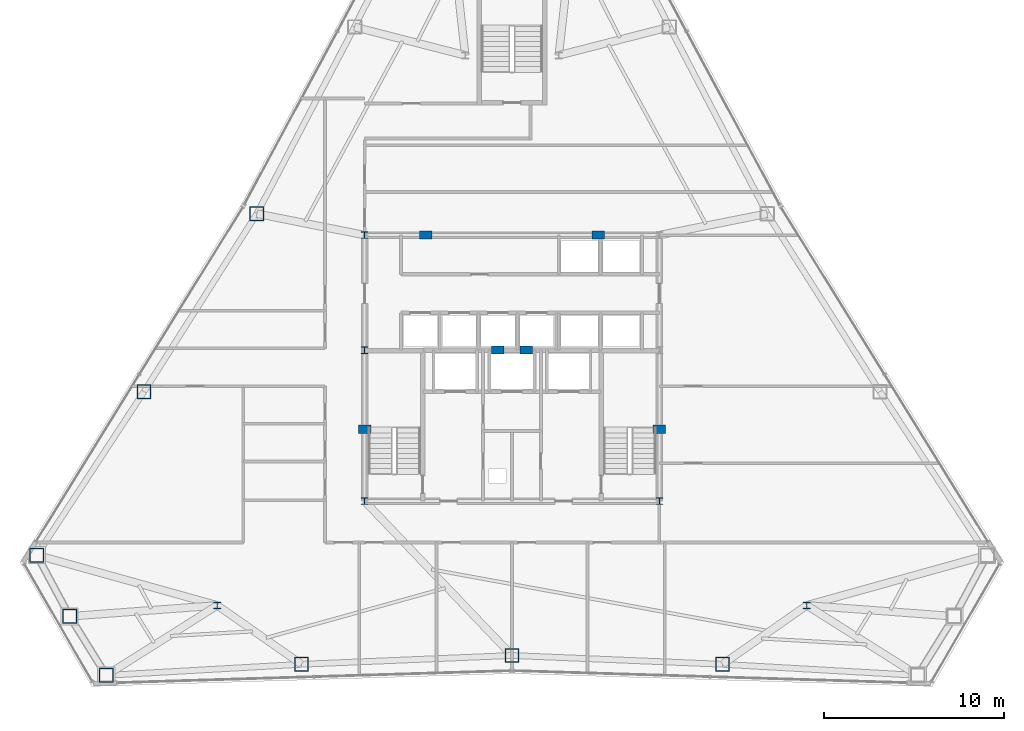
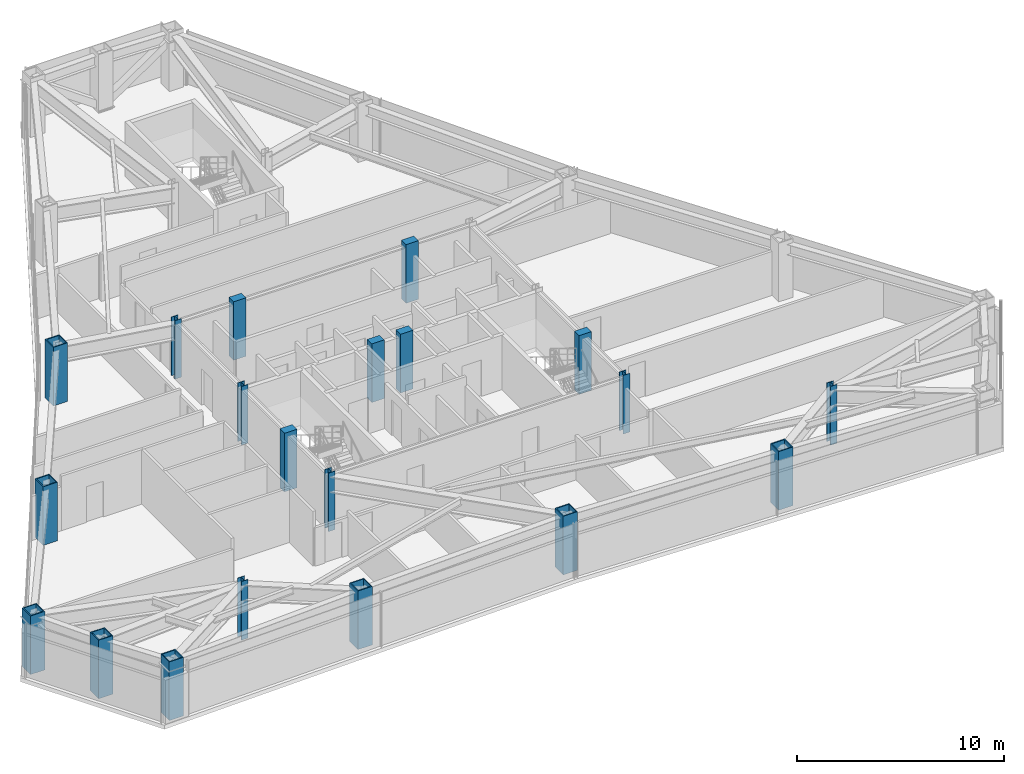
# One storey, part 1 of 13: 20 columns.
"""IFC4 building model written with IfcOpenShell, lengths in metres."""

from ifc_helpers import new_model, si_unit, direction, frame, origin, origin_2d, place, context, subcontext, project, spatial, rectangle, hollow_rectangle, i_section, extrude, material, material_profile, profile_set, type_object, element, save


model = new_model("IFC4")

# Units and contexts
model_context = context("Model", 3, precision=1e-05, world=origin(), true_north=direction((0.0, 1.0)))
body_context = subcontext(model_context, "Body", "Model", "MODEL_VIEW")
ifc_project = project(units=[si_unit("LENGTHUNIT", "METRE"), si_unit("AREAUNIT", "SQUARE_METRE"), si_unit("VOLUMEUNIT", "CUBIC_METRE"), si_unit("PLANEANGLEUNIT", "RADIAN"), si_unit("MASSUNIT", "GRAM", prefix="KILO")], contexts=[model_context])

# Site, building, storey
site_placement = place(None, origin())
site = spatial("IfcSite", under=ifc_project, at=site_placement, CompositionType="ELEMENT")
building_placement = place(site_placement, origin())
building = spatial("IfcBuilding", under=site, at=building_placement, Name="Varakhsha Concourse Tower", CompositionType="ELEMENT")
storey_placement = place(building_placement, frame((0.0, 0.0, 165.449951171875)))
storey = spatial("IfcBuildingStorey", under=building, at=storey_placement, Name="L47", CompositionType="ELEMENT", Elevation=165.449951171875)

# Columns
ifc_material_1 = material(Name="Structural Steel ASTM A992 Grade 50", Category="steel")
ifc_material_profile_1 = material_profile(ifc_material_1, i_section(OverallWidth=0.3740234375, OverallDepth=0.3720703125, WebThickness=0.01611328125, FlangeThickness=0.02587890625, at=origin_2d()), Name="W14X132")
ifc_profile_set_1 = profile_set([ifc_material_profile_1], Name="Structural Steel ASTM A992 Grade 50")
column_type_1 = type_object("IfcColumnType", Name="CL-CORE-W14X132", PredefinedType="COLUMN", material=ifc_profile_set_1)
for number, where, z_axis, x_axis, name in (
    (1, (31.800048828125, 16.39990234375, 0.0), (0.0, 0.0, 1.0), (1.0, 0.0, 0.0), "L47 Core Column CC-SW"),
    (2, (48.199951171875, 16.39990234375, 0.0), (0.0, 0.0, 1.0), (1.0, 0.0, 0.0), "L47 Core Column CC-SE"),
    (3, (31.800048828125, 24.800048828125, 0.0), (0.0, 0.0, 1.0), (1.0, 0.0, 0.0), "L47 Core Column CC-MW"),
    (4, (31.800048828125, 31.199951171875, 0.0), (0.0, 0.0, 1.0), (1.0, 0.0, 0.0), "L47 Core Column CC-NW"),
    (5, (23.60009765625, 10.60009765625, 0.0), (0.0, 0.0, 1.0), (1.0, 0.0, 0.0), "L47 Core Column SS-W"),
    (6, (56.39990234375, 10.60009765625, 0.0), (0.0, 0.0, 1.0), (1.0, 0.0, 0.0), "L47 Core Column SS-E"),
):
    element("IfcColumn", number, at=place(storey_placement, frame(where, z_axis=z_axis, x_axis=x_axis)), inside=storey, type_object=column_type_1, Name=name, PredefinedType="COLUMN", context=body_context, shape_type="SweptSolid", body=[
        extrude(i_section(OverallWidth=0.3740234375, OverallDepth=0.3720703125, WebThickness=0.01611328125, FlangeThickness=0.02587890625, at=origin_2d()), origin(), (0.0, 0.0, 1.0), 3.449951171875),
    ])
ifc_material_2 = material(Name="Concrete fc 65 MPa", Category="concrete")
ifc_material_profile_2 = material_profile(ifc_material_2, rectangle(XDim=0.699951171875, YDim=0.449951171875, at=origin_2d()), Name="RC 700x450")
ifc_profile_set_2 = profile_set([ifc_material_profile_2], Name="Concrete fc 65 MPa")
column_type_2 = type_object("IfcColumnType", Name="CL-PIL-700X450", PredefinedType="PILASTER", material=ifc_profile_set_2)
for number, where, z_axis, x_axis, name in (
    (7, (31.800048828125, 20.39990234375, 0.0), (0.0, 0.0, 1.0), (1.0, 0.0, 0.0), "L47 Core Boundary Pilaster PIL-W1"),
    (8, (48.199951171875, 20.39990234375, 0.0), (0.0, 0.0, 1.0), (1.0, 0.0, 0.0), "L47 Core Boundary Pilaster PIL-E1"),
    (9, (35.199951171875, 31.199951171875, 0.0), (0.0, 0.0, 1.0), (1.0, 0.0, 0.0), "L47 Core Boundary Pilaster PIL-N1"),
    (10, (44.800048828125, 31.199951171875, 0.0), (0.0, 0.0, 1.0), (1.0, 0.0, 0.0), "L47 Core Boundary Pilaster PIL-N2"),
    (11, (39.199951171875, 24.800048828125, 0.0), (0.0, 0.0, 1.0), (1.0, 0.0, 0.0), "L47 Core Boundary Pilaster PIL-M1"),
    (12, (40.800048828125, 24.800048828125, 0.0), (0.0, 0.0, 1.0), (1.0, 0.0, 0.0), "L47 Core Boundary Pilaster PIL-M2"),
):
    element("IfcColumn", number, at=place(storey_placement, frame(where, z_axis=z_axis, x_axis=x_axis)), inside=storey, type_object=column_type_2, Name=name, PredefinedType="PILASTER", context=body_context, shape_type="SweptSolid", body=[
        extrude(rectangle(XDim=0.699951171875, YDim=0.449951171875, at=origin_2d()), origin(), (0.0, 0.0, 1.0), 3.449951171875),
    ])
ifc_material_3 = material(Name="Structural Steel ASTM A572 Grade 50", Category="steel")
ifc_material_profile_3 = material_profile(ifc_material_3, hollow_rectangle(XDim=0.800048828125, YDim=0.800048828125, WallThickness=0.054931640625, at=origin_2d()), Name="BOX 800x800x55")
ifc_profile_set_3 = profile_set([ifc_material_profile_3], Name="Structural Steel ASTM A572 Grade 50")
column_type_3 = type_object("IfcColumnType", Name="CL-TUBE-800", PredefinedType="COLUMN", material=ifc_profile_set_3)
for number, where, z_axis, x_axis, name in (
    (13, (25.807861328125, 32.393798828125, 0.0), (0.0, 0.0, 1.0), (1.0, 0.0, 0.0), "L47 Framed-Tube Column TC05"),
    (14, (19.52734375, 22.494384765625, 0.0), (0.0, 0.0, 1.0), (1.0, 0.0, 0.0), "L47 Framed-Tube Column TC06"),
    (15, (13.563720703125, 13.397705078125, 0.0), (0.0, 0.0, 1.0), (1.0, 0.0, 0.0), "L47 Framed-Tube Column TC07"),
    (16, (15.388916015625, 9.99072265625, 0.0), (0.0, 0.0, 1.0), (1.0, 0.0, 0.0), "L47 Framed-Tube Column TC08"),
    (17, (17.4267578125, 6.70654296875, 0.0), (0.0, 0.0, 1.0), (1.0, 0.0, 0.0), "L47 Framed-Tube Column TC09"),
    (18, (28.28662109375, 7.322998046875, 0.0), (0.0, 0.0, 1.0), (1.0, 0.0, 0.0), "L47 Framed-Tube Column TC10"),
    (19, (40.0, 7.812255859375, 0.0), (0.0, 0.0, 1.0), (1.0, 0.0, 0.0), "L47 Framed-Tube Column TC11"),
    (20, (51.71337890625, 7.322998046875, 0.0), (0.0, 0.0, 1.0), (1.0, 0.0, 0.0), "L47 Framed-Tube Column TC12"),
):
    element("IfcColumn", number, at=place(storey_placement, frame(where, z_axis=z_axis, x_axis=x_axis)), inside=storey, type_object=column_type_3, Name=name, PredefinedType="COLUMN", context=body_context, shape_type="SweptSolid", body=[
        extrude(hollow_rectangle(XDim=0.800048828125, YDim=0.800048828125, WallThickness=0.054931640625, at=origin_2d()), origin(), (0.0, 0.0, 1.0), 3.449951171875),
    ])

save(model, "model.ifc")
